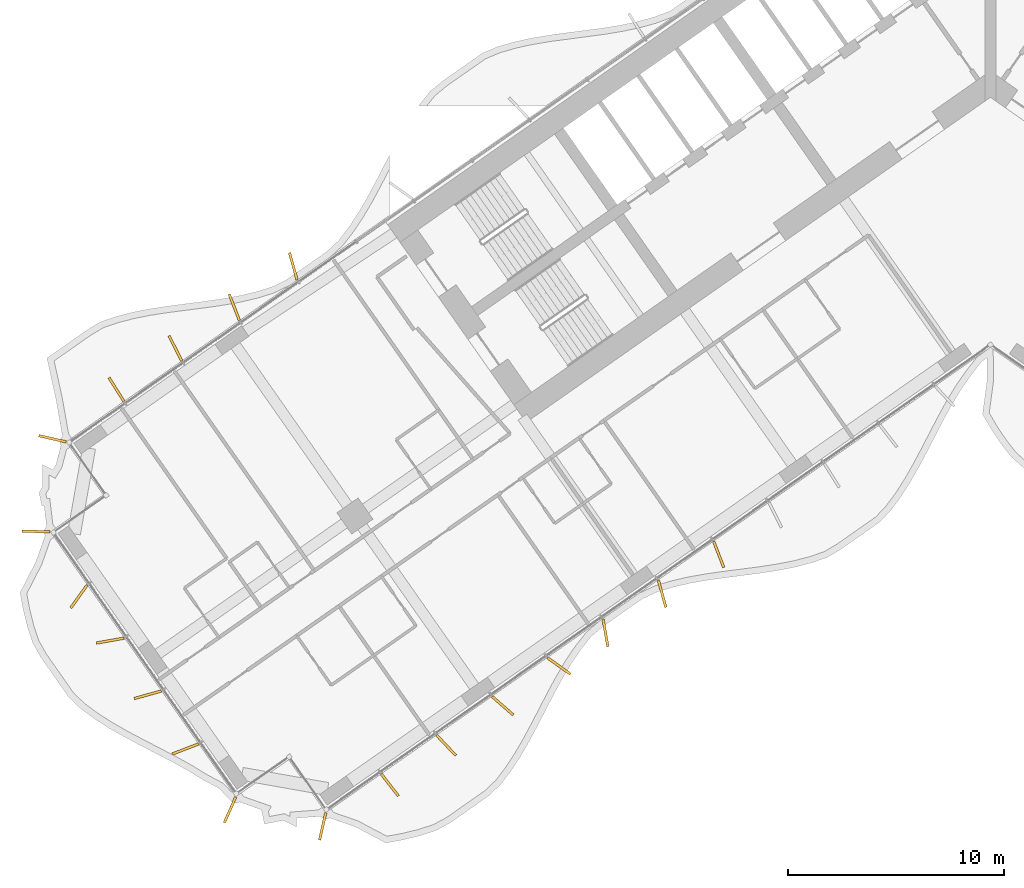
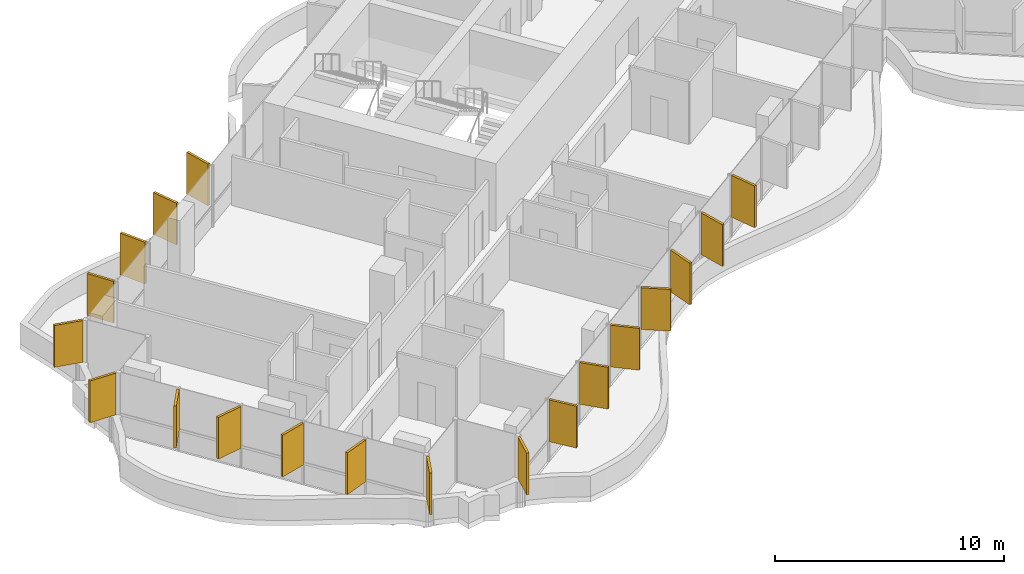
# One storey, part 18 of 23: 19 shading devices.
"""IFC4 building model written with IfcOpenShell, lengths in metres."""

from ifc_helpers import new_model, si_unit, direction, frame, origin, origin_2d, place, context, subcontext, project, spatial, rectangle, extrude, material, layer, layer_set, type_object, element, save


model = new_model("IFC4")

# Units and contexts
model_context = context("Model", 3, precision=1e-05, world=origin(), true_north=direction((0.0, 1.0)))
body_context = subcontext(model_context, "Body", "Model", "MODEL_VIEW")
ifc_project = project(units=[si_unit("LENGTHUNIT", "METRE"), si_unit("AREAUNIT", "SQUARE_METRE"), si_unit("VOLUMEUNIT", "CUBIC_METRE"), si_unit("PLANEANGLEUNIT", "RADIAN"), si_unit("MASSUNIT", "GRAM", prefix="KILO")], contexts=[model_context])

# Site, building, storey
site_placement = place(None, origin())
site = spatial("IfcSite", under=ifc_project, at=site_placement, CompositionType="ELEMENT")
building_placement = place(site_placement, origin())
building = spatial("IfcBuilding", under=site, at=building_placement, Name="Tel Ilan Convention Tower", CompositionType="ELEMENT")
storey_placement = place(building_placement, frame((0.0, 0.0, 83.300048828125)))
storey = spatial("IfcBuildingStorey", under=building, at=storey_placement, Name="L16", CompositionType="ELEMENT", Elevation=83.300048828125)

# Shading devices
ifc_material = material(Name="Aluminium, bronze anodised", Category="aluminium")
ifc_layer = layer(ifc_material, 0.1201171875)
ifc_layer_set = layer_set([ifc_layer], Name="FIN BRONZE 1300x120")
shading_device_type = type_object("IfcShadingDeviceType", Name="FIN BRONZE 1300x120", PredefinedType="USERDEFINED", material=ifc_layer_set)
for number, where, z_axis, x_axis, name in (
    (1, (-32.348876953125, -9.060791015625, 1.10009765625), (0.0, 0.0, 1.0), (-0.268172612768, 0.963370878614, 0.0), "FIN"),
    (2, (-35.085693359375, -10.9619140625, 1.10009765625), (0.0, 0.0, 1.0), (-0.360177724803, 0.932883704733, 0.0), "FIN"),
    (3, (-37.8203125, -12.86865234375, 1.10009765625), (0.0, 0.0, 1.0), (-0.448799180206, 0.893632640321, 0.0), "FIN"),
    (4, (-40.552001953125, -14.78125, 1.10009765625), (0.0, 0.0, 1.0), (-0.533204432798, 0.845986425922, 0.0), "FIN"),
    (5, (-43.520751953125, -17.065673828125, 1.10009765625), (0.0, 0.0, 1.0), (-0.975235208752, 0.221170268371, 0.0), "FIN"),
    (6, (-44.27880859375, -21.36767578125, 1.10009765625), (0.0, 0.0, 1.0), (-0.999576950082, 0.029084718749, 0.0), "FIN"),
    (7, (-42.29443359375, -24.385498046875, 1.10009765625), (0.0, 0.0, 1.0), (-0.581492071294, -0.813552070258, 0.0), "FIN"),
    (8, (-40.840087890625, -26.43017578125, 1.10009765625), (0.0, 0.0, 1.0), (-0.984807753012, -0.173648177667, 0.0), "FIN"),
    (9, (-39.10107421875, -28.94580078125, 1.10009765625), (0.0, 0.0, 1.0), (-0.963370878614, -0.268172612768, 0.0), "FIN"),
    (10, (-37.35595703125, -31.4599609375, 1.10009765625), (0.0, 0.0, 1.0), (-0.932883704733, -0.360177724803, 0.0), "FIN"),
    (11, (-35.283203125, -34.283203125, 1.10009765625), (0.0, 0.0, 1.0), (-0.404964282034, -0.914332505315, 0.0), "FIN"),
    (12, (-30.9833984375, -35.04833984375, 1.10009765625), (0.0, 0.0, 1.0), (-0.221170268371, -0.975235208752, 0.0), "FIN"),
    (13, (-27.869873046875, -33.128173828125, 1.10009765625), (0.0, 0.0, 1.0), (0.612600545196, -0.790392669516, 0.0), "FIN"),
    (14, (-25.24853515625, -31.29248046875, 1.10009765625), (0.0, 0.0, 1.0), (0.686241637865, -0.727373641577, 0.0), "FIN"),
    (15, (-22.6318359375, -29.452392578125, 1.10009765625), (0.0, 0.0, 1.0), (0.753435896329, -0.657521368568, 0.0), "FIN"),
    (16, (-20.01953125, -27.60791015625, 1.10009765625), (0.0, 0.0, 1.0), (0.813552070258, -0.581492071294, 0.0), "FIN"),
    (17, (-17.862548828125, -26.074951171875, 1.10009765625), (0.0, 0.0, 1.0), (0.173648177667, -0.984807753012, 0.0), "FIN"),
    (18, (-15.234130859375, -24.25732421875, 1.10009765625), (0.0, 0.0, 1.0), (0.268172612768, -0.963370878614, 0.0), "FIN"),
    (19, (-12.607666015625, -22.433349609375, 1.10009765625), (0.0, 0.0, 1.0), (0.360177724803, -0.932883704733, 0.0), "FIN"),
):
    element("IfcShadingDevice", number, at=place(storey_placement, frame(where, z_axis=z_axis, x_axis=x_axis)), inside=storey, type_object=shading_device_type, Name=name, ObjectType="FIN", PredefinedType="USERDEFINED", context=body_context, shape_type="SweptSolid", body=[
        extrude(rectangle(XDim=1.300048828125, YDim=0.1201171875, at=origin_2d()), origin(), (0.0, 0.0, 1.0), 2.219970703125),
    ])

save(model, "model.ifc")
